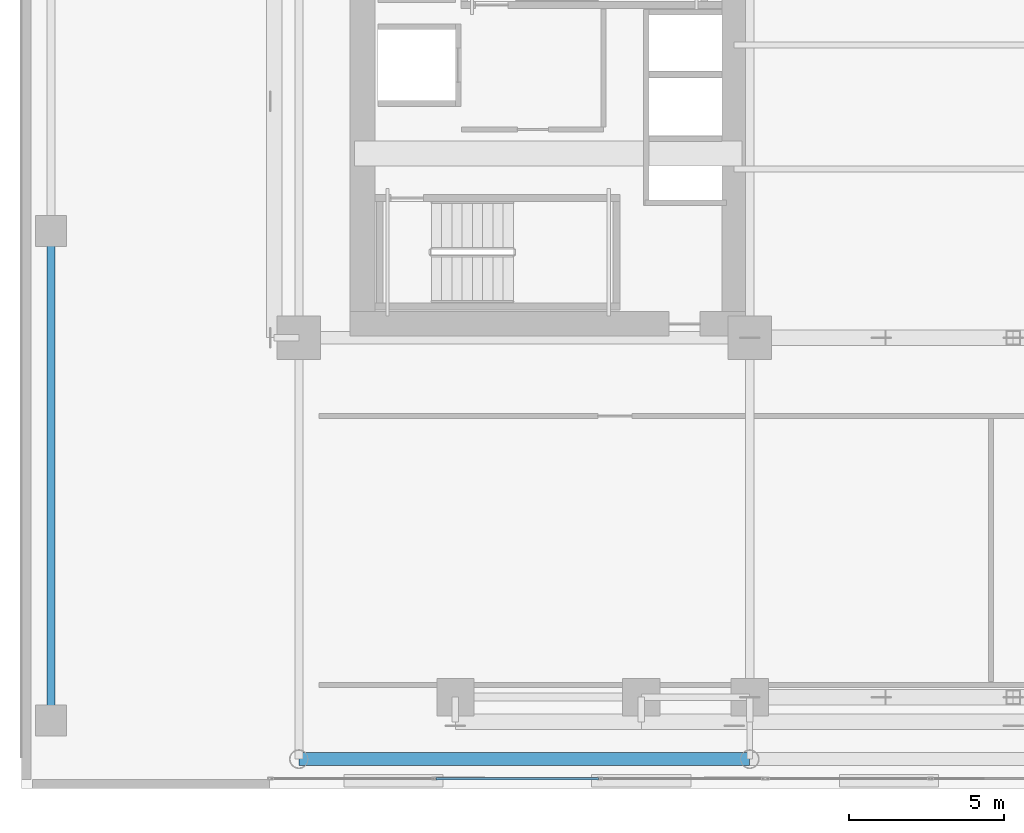
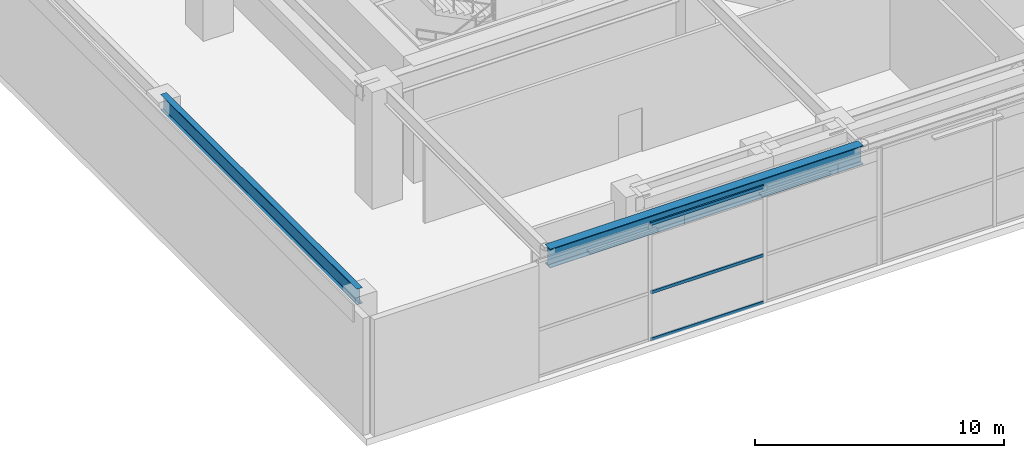
# One storey, part 4 of 29: 3 members, 2 beams, 1 element without a shape of its own.
"""IFC4 building model written with IfcOpenShell, lengths in metres."""

from ifc_helpers import new_model, si_unit, direction, frame, origin, origin_2d, place, context, subcontext, project, spatial, hollow_rectangle, i_section, extrude, source, transform, mapped, material, layer, layer_set, material_profile, profile_set, type_object, element, aggregate, save


model = new_model("IFC4")

# Units and contexts
model_context = context("Model", 3, precision=1e-05, world=origin(), true_north=direction((0.0, 1.0)))
body_context = subcontext(model_context, "Body", "Model", "MODEL_VIEW")
ifc_project = project(units=[si_unit("LENGTHUNIT", "METRE"), si_unit("AREAUNIT", "SQUARE_METRE"), si_unit("VOLUMEUNIT", "CUBIC_METRE"), si_unit("PLANEANGLEUNIT", "RADIAN"), si_unit("MASSUNIT", "GRAM", prefix="KILO")], contexts=[model_context])

# Site, building, storey
site_placement = place(None, origin())
site = spatial("IfcSite", under=ifc_project, at=site_placement, CompositionType="ELEMENT")
building_placement = place(site_placement, origin())
building = spatial("IfcBuilding", under=site, at=building_placement, Name="Ocotamira Hotel", CompositionType="ELEMENT")
storey_placement = place(building_placement, frame((0.0, 0.0, 28.800048828125)))
storey = spatial("IfcBuildingStorey", under=building, at=storey_placement, Name="L06", CompositionType="ELEMENT", Elevation=28.800048828125)

# Beams
ifc_material_1 = material(Name="Steel ASTM A992 Grade 50", Category="steel")
ifc_material_profile_1 = material_profile(ifc_material_1, i_section(OverallWidth=0.41796875, OverallDepth=0.927001953125, WebThickness=0.019287109375, FlangeThickness=0.031982421875, FilletRadius=0.02392578125, at=origin_2d()), Name="W36X231")
ifc_profile_set_1 = profile_set([ifc_material_profile_1], Name="Steel ASTM A992 Grade 50")
beam_type_1 = type_object("IfcBeamType", Name="BM-GIRD-W36X231", PredefinedType="BEAM", material=ifc_profile_set_1)
shared_shape_1 = source(origin(), body_context, "Body", "SweptSolid", [
    extrude(i_section(OverallWidth=0.41796875, OverallDepth=0.927001953125, WebThickness=0.019287109375, FlangeThickness=0.031982421875, FilletRadius=0.02392578125, at=origin_2d()), origin(), (0.0, 0.0, 1.0), 14.550048828125),
])
beam_1_placement = place(storey_placement, frame((8.949951171875, 0.949951171875, 5.286376953125), z_axis=(1.0, 0.0, 0.0), x_axis=(0.0, 1.0, 0.0)))
element("IfcBeam", 1, at=beam_1_placement, inside=storey, type_object=beam_type_1, Name="L06 Girder Y0.95 X8.95-23.5", PredefinedType="BEAM", context=body_context, shape_type="MappedRepresentation", body=[
    mapped(shared_shape_1, transform((0.0, 0.0, 0.0), scale=1.0)),
])
ifc_material_profile_2 = material_profile(ifc_material_1, i_section(OverallWidth=0.26611328125, OverallDepth=0.779052734375, WebThickness=0.0166015625, FlangeThickness=0.030029296875, FilletRadius=0.01806640625, at=origin_2d()), Name="W30X148")
ifc_profile_set_2 = profile_set([ifc_material_profile_2], Name="Steel ASTM A992 Grade 50")
beam_type_2 = type_object("IfcBeamType", Name="BM-GIRD-W30X148", PredefinedType="BEAM", material=ifc_profile_set_2)
shared_shape_2 = source(origin(), body_context, "Body", "SweptSolid", [
    extrude(i_section(OverallWidth=0.26611328125, OverallDepth=0.779052734375, WebThickness=0.0166015625, FlangeThickness=0.030029296875, FilletRadius=0.01806640625, at=origin_2d()), origin(), (0.0, 0.0, 1.0), 15.800048828125),
])
beam_2_placement = place(storey_placement, frame((0.949951171875, 2.199951171875, 5.3603515625), z_axis=(0.0, 1.0, 0.0), x_axis=(-1.0, 0.0, 0.0)))
element("IfcBeam", 2, at=beam_2_placement, inside=storey, type_object=beam_type_2, Name="L06 Beam X0.95 Y2.2-18", PredefinedType="BEAM", context=body_context, shape_type="MappedRepresentation", body=[
    mapped(shared_shape_2, transform((0.0, 0.0, 0.0), scale=1.0)),
])

# Curtain wall, members
ifc_material_2 = material(Name="Anodised pale-metal aluminium and solar glass", Category="aluminium")
ifc_layer = layer(ifc_material_2, 0.239990234375)
ifc_layer_set = layer_set([ifc_layer], Name="Anodised pale-metal aluminium and solar glass")
curtain_wall_type = type_object("IfcCurtainWallType", Name="CW-SYS5-SKY", PredefinedType="NOTDEFINED", material=ifc_layer_set)
curtain_wall_placement = place(storey_placement, origin())
curtain_wall = element("IfcCurtainWall", 3, at=curtain_wall_placement, inside=storey, type_object=curtain_wall_type, Name="L06 Curtain Wall CW-5 CW-L06-S1", PredefinedType="NOTDEFINED")
ifc_material_3 = material(Name="Anodised pale-metal aluminium 6063-T6", Category="aluminium")
ifc_material_profile_3 = material_profile(ifc_material_3, hollow_rectangle(XDim=0.074951171875, YDim=0.14990234375, WallThickness=0.006103515625, at=origin_2d()), Name="HSS150X75X6")
ifc_profile_set_3 = profile_set([ifc_material_profile_3], Name="Anodised pale-metal aluminium 6063-T6")
member_type = type_object("IfcMemberType", Name="CWT-150X75", PredefinedType="USERDEFINED", material=ifc_profile_set_3)
shared_shape_3 = source(origin(), body_context, "Body", "SweptSolid", [
    extrude(hollow_rectangle(XDim=0.074951171875, YDim=0.14990234375, WallThickness=0.006103515625, at=origin_2d()), origin(), (0.0, 0.0, 1.0), 5.25341796875),
])
member_1_placement = place(storey_placement, frame((13.373291015625, 0.320068359375, 0.037353515625), z_axis=(1.0, 0.0, 0.0), x_axis=(0.0, 1.0, 0.0)))
member_1 = element("IfcMember", 4, at=member_1_placement, type_object=member_type, Name="CW-5 transom 2.1", ObjectType="TRANSOM", PredefinedType="USERDEFINED", context=body_context, shape_type="MappedRepresentation", body=[
    mapped(shared_shape_3, transform((0.0, 0.0, 0.0), scale=1.0)),
])
member_2_placement = place(storey_placement, frame((13.373291015625, 0.320068359375, 2.349853515625), z_axis=(1.0, 0.0, 0.0), x_axis=(0.0, 1.0, 0.0)))
member_2 = element("IfcMember", 5, at=member_2_placement, type_object=member_type, Name="CW-5 transom 2.2", ObjectType="TRANSOM", PredefinedType="USERDEFINED", context=body_context, shape_type="MappedRepresentation", body=[
    mapped(shared_shape_3, transform((0.0, 0.0, 0.0), scale=1.0)),
])
member_3_placement = place(storey_placement, frame((13.373291015625, 0.320068359375, 5.71240234375), z_axis=(1.0, 0.0, 0.0), x_axis=(0.0, 1.0, 0.0)))
member_3 = element("IfcMember", 6, at=member_3_placement, type_object=member_type, Name="CW-5 transom 2.3", ObjectType="TRANSOM", PredefinedType="USERDEFINED", context=body_context, shape_type="MappedRepresentation", body=[
    mapped(shared_shape_3, transform((0.0, 0.0, 0.0), scale=1.0)),
])
aggregate(curtain_wall, [member_1, member_2, member_3])

save(model, "model.ifc")
